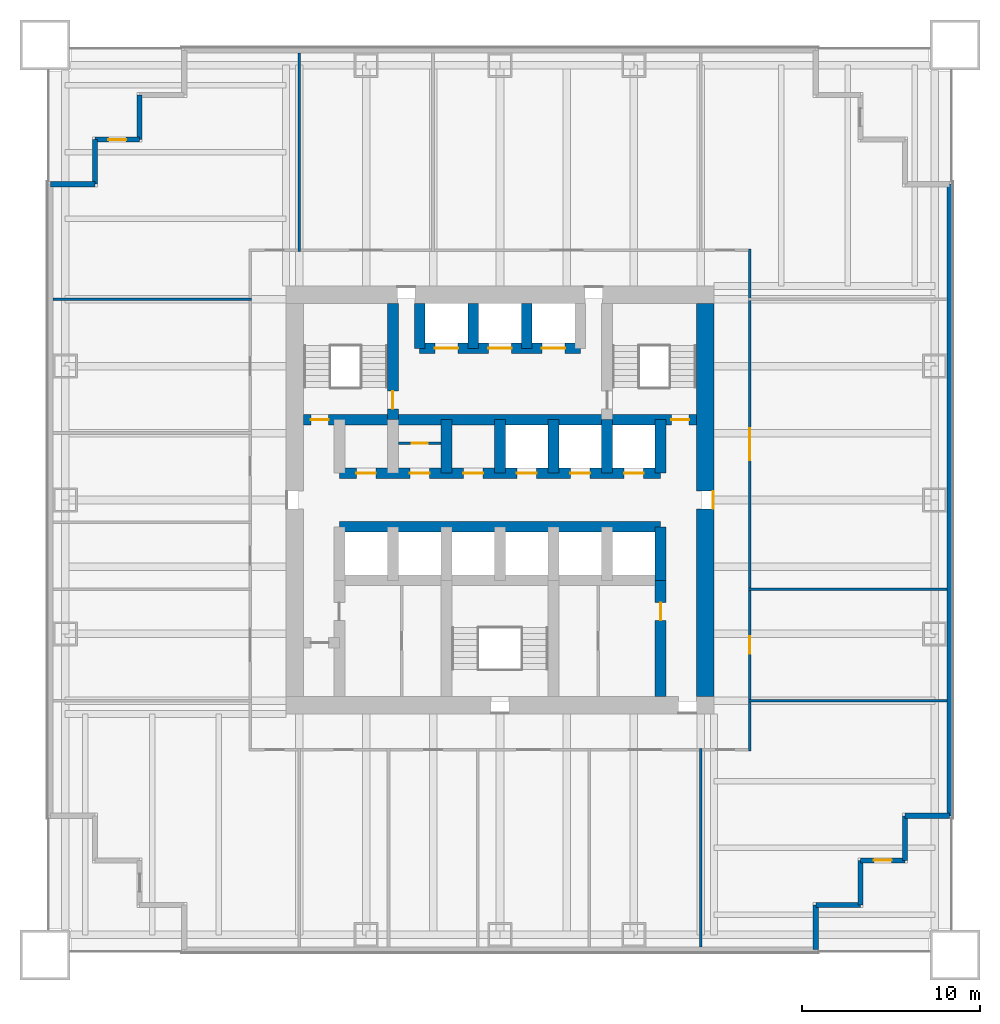
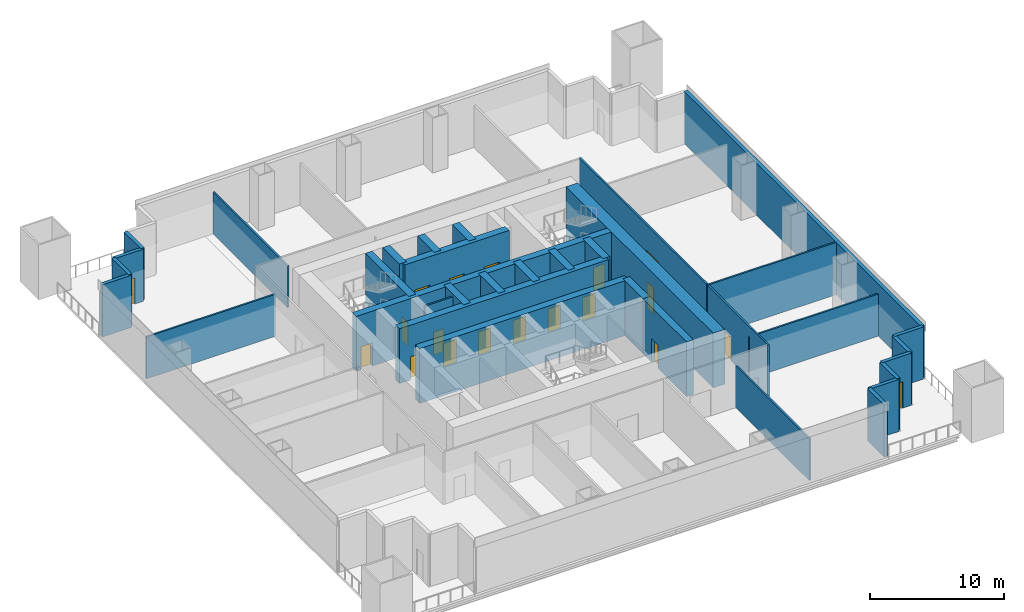
# One storey, part 3 of 6: 34 walls, 19 doors, 19 openings.
"""IFC4 building model written with IfcOpenShell, lengths in metres."""

from ifc_helpers import new_model, si_unit, direction, frame, frame_2d, origin, place, context, subcontext, project, spatial, rectangle, extrude, material, layer, layer_set, type_object, element, fill, save


model = new_model("IFC4")

# Units and contexts
model_context = context("Model", 3, precision=1e-05, world=origin(), true_north=direction((0.0, 1.0)))
body_context = subcontext(model_context, "Body", "Model", "MODEL_VIEW")
ifc_project = project(units=[si_unit("LENGTHUNIT", "METRE"), si_unit("AREAUNIT", "SQUARE_METRE"), si_unit("VOLUMEUNIT", "CUBIC_METRE"), si_unit("PLANEANGLEUNIT", "RADIAN"), si_unit("MASSUNIT", "GRAM", prefix="KILO")], contexts=[model_context])

# Site, building, storey
site_placement = place(None, origin())
site = spatial("IfcSite", under=ifc_project, at=site_placement, CompositionType="ELEMENT")
building_placement = place(site_placement, origin())
building = spatial("IfcBuilding", under=site, at=building_placement, Name="Tarangal Relay Tower", CompositionType="ELEMENT")
storey_placement = place(building_placement, frame((0.0, 0.0, 93.39990234375)))
storey = spatial("IfcBuildingStorey", under=building, at=storey_placement, Name="L18", CompositionType="ELEMENT", Elevation=93.39990234375)

# Wall, openings, doors
ifc_material_1 = material(Name="Concrete fc' 60 MPa", Category="concrete")
ifc_layer_1 = layer(ifc_material_1, 0.60009765625)
ifc_layer_set_1 = layer_set([ifc_layer_1], Name="Core inner wall 600")
wall_type_1 = type_object("IfcWallType", Name="Core inner wall 600", PredefinedType="SHEAR", material=ifc_layer_set_1)
wall_1_placement = place(storey_placement, frame((-11.0, 4.5, 0.0), z_axis=(0.0, 0.0, 1.0), x_axis=(1.0, 0.0, 0.0)))
wall_1 = element("IfcWall", 1, at=wall_1_placement, inside=storey, type_object=wall_type_1, Name="Core wall Y45 L18", PredefinedType="SHEAR", context=body_context, shape_type="SweptSolid", body=[
    extrude(rectangle(XDim=22.0, YDim=0.60009765625, at=frame_2d((11.0, 0.0))), origin(), (0.0, 0.0, 1.0), 5.0),
])
opening_1_placement = place(wall_1_placement, frame((0.39990234375, 0.0, 0.0)))
opening_1 = element("IfcOpeningElement", 2, at=opening_1_placement, cuts=wall_1, Name="Opening FD1", PredefinedType="OPENING", context=body_context, shape_type="SweptSolid", body=[
    extrude(rectangle(XDim=1.0, YDim=2.10009765625, at=frame_2d((0.5, 1.050048828125))), frame((0.0, 0.31005859375, 0.0), z_axis=(0.0, -1.0, 0.0), x_axis=(1.0, 0.0, 0.0)), (0.0, 0.0, 1.0), 0.6201171875),
])
opening_2_placement = place(wall_1_placement, frame((20.60009765625, 0.0, 0.0)))
opening_2 = element("IfcOpeningElement", 3, at=opening_2_placement, cuts=wall_1, Name="Opening FD1", PredefinedType="OPENING", context=body_context, shape_type="SweptSolid", body=[
    extrude(rectangle(XDim=1.0, YDim=2.10009765625, at=frame_2d((0.5, 1.050048828125))), frame((0.0, 0.31005859375, 0.0), z_axis=(0.0, -1.0, 0.0), x_axis=(1.0, 0.0, 0.0)), (0.0, 0.0, 1.0), 0.6201171875),
])
ifc_material_2 = material(Name="Steel door with hardwood frame", Category="steel")
door_type_1 = type_object("IfcDoorType", Name="Fire door 1000 x 2100", OperationType="SINGLE_SWING_LEFT", PredefinedType="DOOR", material=ifc_material_2)
door_1_placement = place(opening_1_placement, origin())
door_1 = element("IfcDoor", 4, at=door_1_placement, inside=storey, type_object=door_type_1, Name="Stair ST-A door from corridor L18", OperationType="SINGLE_SWING_LEFT", OverallHeight=2.10009765625, OverallWidth=1.0, PredefinedType="DOOR", context=body_context, shape_type="SweptSolid", body=[
    extrude(rectangle(XDim=1.0, YDim=2.10009765625, at=frame_2d((0.5, 1.050048828125))), frame((0.0, 0.02490234375, 0.0), z_axis=(0.0, -1.0, 0.0), x_axis=(1.0, 0.0, 0.0)), (0.0, 0.0, 1.0), 0.050048828125),
])
fill(opening_1, door_1)
door_2_placement = place(opening_2_placement, origin())
door_2 = element("IfcDoor", 5, at=door_2_placement, inside=storey, type_object=door_type_1, Name="Stair ST-B door from corridor L18", OperationType="SINGLE_SWING_LEFT", OverallHeight=2.10009765625, OverallWidth=1.0, PredefinedType="DOOR", context=body_context, shape_type="SweptSolid", body=[
    extrude(rectangle(XDim=1.0, YDim=2.10009765625, at=frame_2d((0.5, 1.050048828125))), frame((0.0, 0.02490234375, 0.0), z_axis=(0.0, -1.0, 0.0), x_axis=(1.0, 0.0, 0.0)), (0.0, 0.0, 1.0), 0.050048828125),
])
fill(opening_2, door_2)

wall_2_placement = place(storey_placement, frame((-9.0, 1.5, 0.0), z_axis=(0.0, 0.0, 1.0), x_axis=(1.0, 0.0, 0.0)))
wall_2 = element("IfcWall", 6, at=wall_2_placement, inside=storey, type_object=wall_type_1, Name="Core wall Y15 L18", PredefinedType="SHEAR", context=body_context, shape_type="SweptSolid", body=[
    extrude(rectangle(XDim=18.0, YDim=0.60009765625, at=frame_2d((9.0, 0.0))), origin(), (0.0, 0.0, 1.0), 5.0),
])
opening_3_placement = place(wall_2_placement, frame((9.949951171875, 0.0, 0.0)))
opening_3 = element("IfcOpeningElement", 7, at=opening_3_placement, cuts=wall_2, Name="Opening LD1", PredefinedType="OPENING", context=body_context, shape_type="SweptSolid", body=[
    extrude(rectangle(XDim=1.10009765625, YDim=2.10009765625, at=frame_2d((0.550048828125, 1.050048828125))), frame((0.0, 0.31005859375, 0.0), z_axis=(0.0, -1.0, 0.0), x_axis=(1.0, 0.0, 0.0)), (0.0, 0.0, 1.0), 0.6201171875),
])
opening_4_placement = place(wall_2_placement, frame((12.949951171875, 0.0, 0.0)))
opening_4 = element("IfcOpeningElement", 8, at=opening_4_placement, cuts=wall_2, Name="Opening LD1", PredefinedType="OPENING", context=body_context, shape_type="SweptSolid", body=[
    extrude(rectangle(XDim=1.10009765625, YDim=2.10009765625, at=frame_2d((0.550048828125, 1.050048828125))), frame((0.0, 0.31005859375, 0.0), z_axis=(0.0, -1.0, 0.0), x_axis=(1.0, 0.0, 0.0)), (0.0, 0.0, 1.0), 0.6201171875),
])
opening_5_placement = place(wall_2_placement, frame((15.949951171875, 0.0, 0.0)))
opening_5 = element("IfcOpeningElement", 9, at=opening_5_placement, cuts=wall_2, Name="Opening LD1", PredefinedType="OPENING", context=body_context, shape_type="SweptSolid", body=[
    extrude(rectangle(XDim=1.10009765625, YDim=2.10009765625, at=frame_2d((0.550048828125, 1.050048828125))), frame((0.0, 0.31005859375, 0.0), z_axis=(0.0, -1.0, 0.0), x_axis=(1.0, 0.0, 0.0)), (0.0, 0.0, 1.0), 0.6201171875),
])
opening_6_placement = place(wall_2_placement, frame((0.949951171875, 0.0, 0.0)))
opening_6 = element("IfcOpeningElement", 10, at=opening_6_placement, cuts=wall_2, Name="Opening D4", PredefinedType="OPENING", context=body_context, shape_type="SweptSolid", body=[
    extrude(rectangle(XDim=1.10009765625, YDim=2.10009765625, at=frame_2d((0.550048828125, 1.050048828125))), frame((0.0, 0.31005859375, 0.0), z_axis=(0.0, -1.0, 0.0), x_axis=(1.0, 0.0, 0.0)), (0.0, 0.0, 1.0), 0.6201171875),
])
opening_7_placement = place(wall_2_placement, frame((3.949951171875, 0.0, 0.0)))
opening_7 = element("IfcOpeningElement", 11, at=opening_7_placement, cuts=wall_2, Name="Opening D4", PredefinedType="OPENING", context=body_context, shape_type="SweptSolid", body=[
    extrude(rectangle(XDim=1.10009765625, YDim=2.10009765625, at=frame_2d((0.550048828125, 1.050048828125))), frame((0.0, 0.31005859375, 0.0), z_axis=(0.0, -1.0, 0.0), x_axis=(1.0, 0.0, 0.0)), (0.0, 0.0, 1.0), 0.6201171875),
])
opening_8_placement = place(wall_2_placement, frame((6.949951171875, 0.0, 0.0)))
opening_8 = element("IfcOpeningElement", 12, at=opening_8_placement, cuts=wall_2, Name="Opening D4", PredefinedType="OPENING", context=body_context, shape_type="SweptSolid", body=[
    extrude(rectangle(XDim=1.10009765625, YDim=2.10009765625, at=frame_2d((0.550048828125, 1.050048828125))), frame((0.0, 0.31005859375, 0.0), z_axis=(0.0, -1.0, 0.0), x_axis=(1.0, 0.0, 0.0)), (0.0, 0.0, 1.0), 0.6201171875),
])
door_type_2 = type_object("IfcDoorType", Name="Core room door 1100 x 2100", OperationType="SINGLE_SWING_RIGHT", PredefinedType="DOOR", material=ifc_material_2)
door_3_placement = place(opening_6_placement, origin())
door_3 = element("IfcDoor", 13, at=door_3_placement, inside=storey, type_object=door_type_2, Name="Door D4 to cleaner's store L18-D1", OperationType="SINGLE_SWING_RIGHT", OverallHeight=2.10009765625, OverallWidth=1.10009765625, PredefinedType="DOOR", context=body_context, shape_type="SweptSolid", body=[
    extrude(rectangle(XDim=1.10009765625, YDim=2.10009765625, at=frame_2d((0.550048828125, 1.050048828125))), frame((0.0, 0.02490234375, 0.0), z_axis=(0.0, -1.0, 0.0), x_axis=(1.0, 0.0, 0.0)), (0.0, 0.0, 1.0), 0.050048828125),
])
fill(opening_6, door_3)
door_4_placement = place(opening_7_placement, origin())
door_4 = element("IfcDoor", 14, at=door_4_placement, inside=storey, type_object=door_type_2, Name="Door D4 to it room L18-D2", OperationType="SINGLE_SWING_RIGHT", OverallHeight=2.10009765625, OverallWidth=1.10009765625, PredefinedType="DOOR", context=body_context, shape_type="SweptSolid", body=[
    extrude(rectangle(XDim=1.10009765625, YDim=2.10009765625, at=frame_2d((0.550048828125, 1.050048828125))), frame((0.0, 0.02490234375, 0.0), z_axis=(0.0, -1.0, 0.0), x_axis=(1.0, 0.0, 0.0)), (0.0, 0.0, 1.0), 0.050048828125),
])
fill(opening_7, door_4)
door_5_placement = place(opening_8_placement, origin())
door_5 = element("IfcDoor", 15, at=door_5_placement, inside=storey, type_object=door_type_2, Name="Door D4 to back-of-house plant room L18-D3", OperationType="SINGLE_SWING_RIGHT", OverallHeight=2.10009765625, OverallWidth=1.10009765625, PredefinedType="DOOR", context=body_context, shape_type="SweptSolid", body=[
    extrude(rectangle(XDim=1.10009765625, YDim=2.10009765625, at=frame_2d((0.550048828125, 1.050048828125))), frame((0.0, 0.02490234375, 0.0), z_axis=(0.0, -1.0, 0.0), x_axis=(1.0, 0.0, 0.0)), (0.0, 0.0, 1.0), 0.050048828125),
])
fill(opening_8, door_5)
door_type_3 = type_object("IfcDoorType", Name="Lift landing door 1100 x 2100", OperationType="SLIDING_TO_LEFT", PredefinedType="DOOR", material=ifc_material_2)
door_6_placement = place(opening_3_placement, origin())
door_6 = element("IfcDoor", 16, at=door_6_placement, inside=storey, type_object=door_type_3, Name="Lift T1 landing door L18", OperationType="SLIDING_TO_LEFT", OverallHeight=2.10009765625, OverallWidth=1.10009765625, PredefinedType="DOOR", context=body_context, shape_type="SweptSolid", body=[
    extrude(rectangle(XDim=1.10009765625, YDim=2.10009765625, at=frame_2d((0.550048828125, 1.050048828125))), frame((0.0, 0.02490234375, 0.0), z_axis=(0.0, -1.0, 0.0), x_axis=(1.0, 0.0, 0.0)), (0.0, 0.0, 1.0), 0.050048828125),
])
fill(opening_3, door_6)
door_7_placement = place(opening_4_placement, origin())
door_7 = element("IfcDoor", 17, at=door_7_placement, inside=storey, type_object=door_type_3, Name="Lift T2 landing door L18", OperationType="SLIDING_TO_LEFT", OverallHeight=2.10009765625, OverallWidth=1.10009765625, PredefinedType="DOOR", context=body_context, shape_type="SweptSolid", body=[
    extrude(rectangle(XDim=1.10009765625, YDim=2.10009765625, at=frame_2d((0.550048828125, 1.050048828125))), frame((0.0, 0.02490234375, 0.0), z_axis=(0.0, -1.0, 0.0), x_axis=(1.0, 0.0, 0.0)), (0.0, 0.0, 1.0), 0.050048828125),
])
fill(opening_4, door_7)
door_8_placement = place(opening_5_placement, origin())
door_8 = element("IfcDoor", 18, at=door_8_placement, inside=storey, type_object=door_type_3, Name="Lift T3 landing door L18", OperationType="SLIDING_TO_LEFT", OverallHeight=2.10009765625, OverallWidth=1.10009765625, PredefinedType="DOOR", context=body_context, shape_type="SweptSolid", body=[
    extrude(rectangle(XDim=1.10009765625, YDim=2.10009765625, at=frame_2d((0.550048828125, 1.050048828125))), frame((0.0, 0.02490234375, 0.0), z_axis=(0.0, -1.0, 0.0), x_axis=(1.0, 0.0, 0.0)), (0.0, 0.0, 1.0), 0.050048828125),
])
fill(opening_5, door_8)

# Wall
wall_3_placement = place(storey_placement, frame((-9.0, -1.5, 0.0), z_axis=(0.0, 0.0, 1.0), x_axis=(1.0, 0.0, 0.0)))
element("IfcWall", 19, at=wall_3_placement, inside=storey, type_object=wall_type_1, Name="Core wall YM15 L18", PredefinedType="SHEAR", context=body_context, shape_type="SweptSolid", body=[
    extrude(rectangle(XDim=18.0, YDim=0.60009765625, at=frame_2d((9.0, 0.0))), origin(), (0.0, 0.0, 1.0), 5.0),
])

# Wall, openings, doors
wall_4_placement = place(storey_placement, frame((-4.5, 8.5, 0.0), z_axis=(0.0, 0.0, 1.0), x_axis=(1.0, 0.0, 0.0)))
wall_4 = element("IfcWall", 20, at=wall_4_placement, inside=storey, type_object=wall_type_1, Name="Core wall Y85 L18", PredefinedType="SHEAR", context=body_context, shape_type="SweptSolid", body=[
    extrude(rectangle(XDim=9.0, YDim=0.60009765625, at=frame_2d((4.5, 0.0))), origin(), (0.0, 0.0, 1.0), 5.0),
])
opening_9_placement = place(wall_4_placement, frame((0.85009765625, 0.0, 0.0)))
opening_9 = element("IfcOpeningElement", 21, at=opening_9_placement, cuts=wall_4, Name="Opening LD2", PredefinedType="OPENING", context=body_context, shape_type="SweptSolid", body=[
    extrude(rectangle(XDim=1.300048828125, YDim=2.39990234375, at=frame_2d((0.64990234375, 1.199951171875))), frame((0.0, 0.31005859375, 0.0), z_axis=(0.0, -1.0, 0.0), x_axis=(1.0, 0.0, 0.0)), (0.0, 0.0, 1.0), 0.6201171875),
])
opening_10_placement = place(wall_4_placement, frame((6.85009765625, 0.0, 0.0)))
opening_10 = element("IfcOpeningElement", 22, at=opening_10_placement, cuts=wall_4, Name="Opening LD2", PredefinedType="OPENING", context=body_context, shape_type="SweptSolid", body=[
    extrude(rectangle(XDim=1.300048828125, YDim=2.39990234375, at=frame_2d((0.64990234375, 1.199951171875))), frame((0.0, 0.31005859375, 0.0), z_axis=(0.0, -1.0, 0.0), x_axis=(1.0, 0.0, 0.0)), (0.0, 0.0, 1.0), 0.6201171875),
])
opening_11_placement = place(wall_4_placement, frame((3.85009765625, 0.0, 0.0)))
opening_11 = element("IfcOpeningElement", 23, at=opening_11_placement, cuts=wall_4, Name="Opening LD2", PredefinedType="OPENING", context=body_context, shape_type="SweptSolid", body=[
    extrude(rectangle(XDim=1.300048828125, YDim=2.39990234375, at=frame_2d((0.64990234375, 1.199951171875))), frame((0.0, 0.31005859375, 0.0), z_axis=(0.0, -1.0, 0.0), x_axis=(1.0, 0.0, 0.0)), (0.0, 0.0, 1.0), 0.6201171875),
])
door_type_4 = type_object("IfcDoorType", Name="Lift landing door 1300 x 2400", OperationType="SLIDING_TO_LEFT", PredefinedType="DOOR", material=ifc_material_2)
door_9_placement = place(opening_9_placement, origin())
door_9 = element("IfcDoor", 24, at=door_9_placement, inside=storey, type_object=door_type_4, Name="Lift FF1 landing door L18", OperationType="SLIDING_TO_LEFT", OverallHeight=2.39990234375, OverallWidth=1.300048828125, PredefinedType="DOOR", context=body_context, shape_type="SweptSolid", body=[
    extrude(rectangle(XDim=1.300048828125, YDim=2.39990234375, at=frame_2d((0.64990234375, 1.199951171875))), frame((0.0, 0.02490234375, 0.0), z_axis=(0.0, -1.0, 0.0), x_axis=(1.0, 0.0, 0.0)), (0.0, 0.0, 1.0), 0.050048828125),
])
fill(opening_9, door_9)
door_10_placement = place(opening_10_placement, origin())
door_10 = element("IfcDoor", 25, at=door_10_placement, inside=storey, type_object=door_type_4, Name="Lift FF2 landing door L18", OperationType="SLIDING_TO_LEFT", OverallHeight=2.39990234375, OverallWidth=1.300048828125, PredefinedType="DOOR", context=body_context, shape_type="SweptSolid", body=[
    extrude(rectangle(XDim=1.300048828125, YDim=2.39990234375, at=frame_2d((0.64990234375, 1.199951171875))), frame((0.0, 0.02490234375, 0.0), z_axis=(0.0, -1.0, 0.0), x_axis=(1.0, 0.0, 0.0)), (0.0, 0.0, 1.0), 0.050048828125),
])
fill(opening_10, door_10)
door_11_placement = place(opening_11_placement, origin())
door_11 = element("IfcDoor", 26, at=door_11_placement, inside=storey, type_object=door_type_4, Name="Lift SV1 landing door L18", OperationType="SLIDING_TO_LEFT", OverallHeight=2.39990234375, OverallWidth=1.300048828125, PredefinedType="DOOR", context=body_context, shape_type="SweptSolid", body=[
    extrude(rectangle(XDim=1.300048828125, YDim=2.39990234375, at=frame_2d((0.64990234375, 1.199951171875))), frame((0.0, 0.02490234375, 0.0), z_axis=(0.0, -1.0, 0.0), x_axis=(1.0, 0.0, 0.0)), (0.0, 0.0, 1.0), 0.050048828125),
])
fill(opening_11, door_11)

# Walls
for number, where, z_axis, x_axis, name in (
    (27, (9.0, 1.5, 0.0), (0.0, 0.0, 1.0), (0.0, 1.0, 0.0), "Core wall X9N L18"),
    (28, (9.0, -4.5, 0.0), (0.0, 0.0, 1.0), (0.0, 1.0, 0.0), "Core wall X9S L18"),
    (29, (-3.0, 1.5, 0.0), (0.0, 0.0, 1.0), (0.0, 1.0, 0.0), "Core wall XM3N L18"),
    (30, (0.0, 1.5, 0.0), (0.0, 0.0, 1.0), (0.0, 1.0, 0.0), "Core wall X0N L18"),
    (31, (3.0, 1.5, 0.0), (0.0, 0.0, 1.0), (0.0, 1.0, 0.0), "Core wall X3N L18"),
    (32, (6.0, 1.5, 0.0), (0.0, 0.0, 1.0), (0.0, 1.0, 0.0), "Core wall X6N L18"),
):
    element("IfcWall", number, at=place(storey_placement, frame(where, z_axis=z_axis, x_axis=x_axis)), inside=storey, type_object=wall_type_1, Name=name, PredefinedType="SHEAR", context=body_context, shape_type="SweptSolid", body=[
        extrude(rectangle(XDim=3.0, YDim=0.60009765625, at=frame_2d((1.5, 0.0))), origin(), (0.0, 0.0, 1.0), 5.0),
    ])

# Wall, opening, door
wall_5_placement = place(storey_placement, frame((-6.0, 4.5, 0.0), z_axis=(0.0, 0.0, 1.0), x_axis=(0.0, 1.0, 0.0)))
wall_5 = element("IfcWall", 33, at=wall_5_placement, inside=storey, type_object=wall_type_1, Name="Core wall XM6 L18", PredefinedType="SHEAR", context=body_context, shape_type="SweptSolid", body=[
    extrude(rectangle(XDim=6.5, YDim=0.60009765625, at=frame_2d((3.25, 0.0))), origin(), (0.0, 0.0, 1.0), 5.0),
])
opening_12_placement = place(wall_5_placement, frame((0.60009765625, 0.0, 0.0)))
opening_12 = element("IfcOpeningElement", 34, at=opening_12_placement, cuts=wall_5, Name="Opening FD1", PredefinedType="OPENING", context=body_context, shape_type="SweptSolid", body=[
    extrude(rectangle(XDim=1.0, YDim=2.10009765625, at=frame_2d((0.5, 1.050048828125))), frame((0.0, 0.31005859375, 0.0), z_axis=(0.0, -1.0, 0.0), x_axis=(1.0, 0.0, 0.0)), (0.0, 0.0, 1.0), 0.6201171875),
])
door_12_placement = place(opening_12_placement, origin())
door_12 = element("IfcDoor", 35, at=door_12_placement, inside=storey, type_object=door_type_1, Name="Stair ST-A door from fire-fighting lobby L18", OperationType="SINGLE_SWING_LEFT", OverallHeight=2.10009765625, OverallWidth=1.0, PredefinedType="DOOR", context=body_context, shape_type="SweptSolid", body=[
    extrude(rectangle(XDim=1.0, YDim=2.10009765625, at=frame_2d((0.5, 1.050048828125))), frame((0.0, 0.02490234375, 0.0), z_axis=(0.0, -1.0, 0.0), x_axis=(1.0, 0.0, 0.0)), (0.0, 0.0, 1.0), 0.050048828125),
])
fill(opening_12, door_12)

# Walls
for number, where, z_axis, x_axis, name in (
    (36, (-4.5, 8.5, 0.0), (0.0, 0.0, 1.0), (0.0, 1.0, 0.0), "Core wall XM45 L18"),
    (37, (-1.5, 8.5, 0.0), (0.0, 0.0, 1.0), (0.0, 1.0, 0.0), "Core wall XM15 L18"),
    (38, (1.5, 8.5, 0.0), (0.0, 0.0, 1.0), (0.0, 1.0, 0.0), "Core wall X15 L18"),
):
    element("IfcWall", number, at=place(storey_placement, frame(where, z_axis=z_axis, x_axis=x_axis)), inside=storey, type_object=wall_type_1, Name=name, PredefinedType="SHEAR", context=body_context, shape_type="SweptSolid", body=[
        extrude(rectangle(XDim=2.5, YDim=0.60009765625, at=frame_2d((1.25, 0.0))), origin(), (0.0, 0.0, 1.0), 5.0),
    ])

# Wall, opening, door
wall_6_placement = place(storey_placement, frame((9.0, -11.0, 0.0), z_axis=(0.0, 0.0, 1.0), x_axis=(0.0, 1.0, 0.0)))
wall_6 = element("IfcWall", 39, at=wall_6_placement, inside=storey, type_object=wall_type_1, Name="Core wall X9W L18", PredefinedType="SHEAR", context=body_context, shape_type="SweptSolid", body=[
    extrude(rectangle(XDim=6.5, YDim=0.60009765625, at=frame_2d((3.25, 0.0))), origin(), (0.0, 0.0, 1.0), 5.0),
])
opening_13_placement = place(wall_6_placement, frame((4.25, 0.0, 0.0)))
opening_13 = element("IfcOpeningElement", 40, at=opening_13_placement, cuts=wall_6, Name="Opening D1", PredefinedType="OPENING", context=body_context, shape_type="SweptSolid", body=[
    extrude(rectangle(XDim=1.0, YDim=2.10009765625, at=frame_2d((0.5, 1.050048828125))), frame((0.0, 0.31005859375, 0.0), z_axis=(0.0, -1.0, 0.0), x_axis=(1.0, 0.0, 0.0)), (0.0, 0.0, 1.0), 0.6201171875),
])
ifc_material_3 = material(Name="Hardwood door", Category="wood")
door_type_5 = type_object("IfcDoorType", Name="WC door 1000 x 2100", OperationType="SINGLE_SWING_LEFT", PredefinedType="DOOR", material=ifc_material_3)
door_13_placement = place(opening_13_placement, origin())
door_13 = element("IfcDoor", 41, at=door_13_placement, inside=storey, type_object=door_type_5, Name="Female WC door L18", OperationType="SINGLE_SWING_LEFT", OverallHeight=2.10009765625, OverallWidth=1.0, PredefinedType="DOOR", context=body_context, shape_type="SweptSolid", body=[
    extrude(rectangle(XDim=1.0, YDim=2.10009765625, at=frame_2d((0.5, 1.050048828125))), frame((0.0, 0.02490234375, 0.0), z_axis=(0.0, -1.0, 0.0), x_axis=(1.0, 0.0, 0.0)), (0.0, 0.0, 1.0), 0.050048828125),
])
fill(opening_13, door_13)

ifc_layer_2 = layer(ifc_material_1, 1.0)
ifc_layer_set_2 = layer_set([ifc_layer_2], Name="Core wall 1000")
wall_type_2 = type_object("IfcWallType", Name="Core wall 1000", PredefinedType="SHEAR", material=ifc_layer_set_2)
wall_7_placement = place(storey_placement, frame((11.5, 11.0, 0.0), z_axis=(0.0, 0.0, 1.0), x_axis=(0.0, -1.0, 0.0)))
wall_7 = element("IfcWall", 42, at=wall_7_placement, inside=storey, type_object=wall_type_2, Name="Core wall E L18", PredefinedType="SHEAR", context=body_context, shape_type="SweptSolid", body=[
    extrude(rectangle(XDim=22.0, YDim=1.0, at=frame_2d((11.0, 0.0))), origin(), (0.0, 0.0, 1.0), 5.0),
])
opening_14_placement = place(wall_7_placement, frame((10.5, 0.0, 0.0)))
opening_14 = element("IfcOpeningElement", 43, at=opening_14_placement, cuts=wall_7, Name="Opening FD3", PredefinedType="OPENING", context=body_context, shape_type="SweptSolid", body=[
    extrude(rectangle(XDim=1.0, YDim=2.39990234375, at=frame_2d((0.5, 1.199951171875))), frame((0.0, 0.510009765625, 0.0), z_axis=(0.0, -1.0, 0.0), x_axis=(1.0, 0.0, 0.0)), (0.0, 0.0, 1.0), 1.02001953125),
])
door_type_6 = type_object("IfcDoorType", Name="Fire door 1000 x 2400 core entry", OperationType="SINGLE_SWING_RIGHT", PredefinedType="DOOR", material=ifc_material_2)
door_14_placement = place(opening_14_placement, origin())
door_14 = element("IfcDoor", 44, at=door_14_placement, inside=storey, type_object=door_type_6, Name="Core entry door east L18", OperationType="SINGLE_SWING_RIGHT", OverallHeight=2.39990234375, OverallWidth=1.0, PredefinedType="DOOR", context=body_context, shape_type="SweptSolid", body=[
    extrude(rectangle(XDim=1.0, YDim=2.39990234375, at=frame_2d((0.5, 1.199951171875))), frame((0.0, 0.48486328125, 0.0), z_axis=(0.0, -1.0, 0.0), x_axis=(1.0, 0.0, 0.0)), (0.0, 0.0, 1.0), 0.050048828125),
])
fill(opening_14, door_14)

# Walls
ifc_material_4 = material(Name="Insulated precast concrete fc' 40 MPa", Category="concrete")
ifc_layer_3 = layer(ifc_material_4, 0.300048828125)
ifc_layer_set_3 = layer_set([ifc_layer_3], Name="Insulated precast concrete fc' 40 MPa")
wall_type_3 = type_object("IfcWallType", Name="Facade wall precast 300", PredefinedType="SOLIDWALL", material=ifc_layer_set_3)
wall_8_placement = place(storey_placement, frame((25.199951171875, 17.699951171875, 0.0), z_axis=(0.0, 0.0, 1.0), x_axis=(0.0, -1.0, 0.0)))
element("IfcWall", 45, at=wall_8_placement, inside=storey, type_object=wall_type_3, Name="Facade wall E facade L18", PredefinedType="SOLIDWALL", context=body_context, shape_type="SweptSolid", body=[
    extrude(rectangle(XDim=35.39990234375, YDim=0.300048828125, at=frame_2d((17.699951171875, 0.0))), origin(), (0.0, 0.0, 1.0), 4.75),
])
for number, where, z_axis, x_axis, name in (
    (46, (25.199951171875, -17.699951171875, 0.0), (0.0, 0.0, 1.0), (-1.0, 0.0, 0.0), "Facade wall E facade L18"),
    (47, (22.699951171875, -17.699951171875, 0.0), (0.0, 0.0, 1.0), (0.0, -1.0, 0.0), "Facade wall E facade L18"),
):
    element("IfcWall", number, at=place(storey_placement, frame(where, z_axis=z_axis, x_axis=x_axis)), inside=storey, type_object=wall_type_3, Name=name, PredefinedType="SOLIDWALL", context=body_context, shape_type="SweptSolid", body=[
        extrude(rectangle(XDim=2.5, YDim=0.300048828125, at=frame_2d((1.25, 0.0))), origin(), (0.0, 0.0, 1.0), 4.75),
    ])

# Wall, opening, door
wall_9_placement = place(storey_placement, frame((22.699951171875, -20.199951171875, 0.0), z_axis=(0.0, 0.0, 1.0), x_axis=(-1.0, 0.0, 0.0)))
wall_9 = element("IfcWall", 48, at=wall_9_placement, inside=storey, type_object=wall_type_3, Name="Facade wall E facade L18", PredefinedType="SOLIDWALL", context=body_context, shape_type="SweptSolid", body=[
    extrude(rectangle(XDim=2.5, YDim=0.300048828125, at=frame_2d((1.25, 0.0))), origin(), (0.0, 0.0, 1.0), 4.75),
])
opening_15_placement = place(wall_9_placement, frame((0.75, 0.0, 0.0)))
opening_15 = element("IfcOpeningElement", 49, at=opening_15_placement, cuts=wall_9, Name="Opening TD1", PredefinedType="OPENING", context=body_context, shape_type="SweptSolid", body=[
    extrude(rectangle(XDim=1.0, YDim=2.39990234375, at=frame_2d((0.5, 1.199951171875))), frame((0.0, 0.159912109375, 0.0), z_axis=(0.0, -1.0, 0.0), x_axis=(1.0, 0.0, 0.0)), (0.0, 0.0, 1.0), 0.320068359375),
])
ifc_material_5 = material(Name="Aluminium glazed door", Category="aluminium")
door_type_7 = type_object("IfcDoorType", Name="Terrace door 1000 x 2400", OperationType="SINGLE_SWING_RIGHT", PredefinedType="DOOR", material=ifc_material_5)
door_15_placement = place(opening_15_placement, origin())
door_15 = element("IfcDoor", 50, at=door_15_placement, inside=storey, type_object=door_type_7, Name="Terrace door TD1 SE L18", OperationType="SINGLE_SWING_RIGHT", OverallHeight=2.39990234375, OverallWidth=1.0, PredefinedType="DOOR", context=body_context, shape_type="SweptSolid", body=[
    extrude(rectangle(XDim=1.0, YDim=2.39990234375, at=frame_2d((0.5, 1.199951171875))), frame((0.0, 0.02490234375, 0.0), z_axis=(0.0, -1.0, 0.0), x_axis=(1.0, 0.0, 0.0)), (0.0, 0.0, 1.0), 0.050048828125),
])
fill(opening_15, door_15)

# Walls
for number, where, z_axis, x_axis, name in (
    (51, (20.199951171875, -20.199951171875, 0.0), (0.0, 0.0, 1.0), (0.0, -1.0, 0.0), "Facade wall E facade L18"),
    (52, (20.199951171875, -22.699951171875, 0.0), (0.0, 0.0, 1.0), (-1.0, 0.0, 0.0), "Facade wall E facade L18"),
    (53, (17.699951171875, -22.699951171875, 0.0), (0.0, 0.0, 1.0), (0.0, -1.0, 0.0), "Facade wall E facade L18"),
    (54, (-25.199951171875, 17.699951171875, 0.0), (0.0, 0.0, 1.0), (1.0, 0.0, 0.0), "Facade wall W facade L18"),
    (55, (-22.699951171875, 17.699951171875, 0.0), (0.0, 0.0, 1.0), (0.0, 1.0, 0.0), "Facade wall W facade L18"),
):
    element("IfcWall", number, at=place(storey_placement, frame(where, z_axis=z_axis, x_axis=x_axis)), inside=storey, type_object=wall_type_3, Name=name, PredefinedType="SOLIDWALL", context=body_context, shape_type="SweptSolid", body=[
        extrude(rectangle(XDim=2.5, YDim=0.300048828125, at=frame_2d((1.25, 0.0))), origin(), (0.0, 0.0, 1.0), 4.75),
    ])

# Wall, opening, door
wall_10_placement = place(storey_placement, frame((-22.699951171875, 20.199951171875, 0.0), z_axis=(0.0, 0.0, 1.0), x_axis=(1.0, 0.0, 0.0)))
wall_10 = element("IfcWall", 56, at=wall_10_placement, inside=storey, type_object=wall_type_3, Name="Facade wall W facade L18", PredefinedType="SOLIDWALL", context=body_context, shape_type="SweptSolid", body=[
    extrude(rectangle(XDim=2.5, YDim=0.300048828125, at=frame_2d((1.25, 0.0))), origin(), (0.0, 0.0, 1.0), 4.75),
])
opening_16_placement = place(wall_10_placement, frame((0.75, 0.0, 0.0)))
opening_16 = element("IfcOpeningElement", 57, at=opening_16_placement, cuts=wall_10, Name="Opening TD1", PredefinedType="OPENING", context=body_context, shape_type="SweptSolid", body=[
    extrude(rectangle(XDim=1.0, YDim=2.39990234375, at=frame_2d((0.5, 1.199951171875))), frame((0.0, 0.159912109375, 0.0), z_axis=(0.0, -1.0, 0.0), x_axis=(1.0, 0.0, 0.0)), (0.0, 0.0, 1.0), 0.320068359375),
])
door_16_placement = place(opening_16_placement, origin())
door_16 = element("IfcDoor", 58, at=door_16_placement, inside=storey, type_object=door_type_7, Name="Terrace door TD1 NW L18", OperationType="SINGLE_SWING_RIGHT", OverallHeight=2.39990234375, OverallWidth=1.0, PredefinedType="DOOR", context=body_context, shape_type="SweptSolid", body=[
    extrude(rectangle(XDim=1.0, YDim=2.39990234375, at=frame_2d((0.5, 1.199951171875))), frame((0.0, 0.02490234375, 0.0), z_axis=(0.0, -1.0, 0.0), x_axis=(1.0, 0.0, 0.0)), (0.0, 0.0, 1.0), 0.050048828125),
])
fill(opening_16, door_16)

# Walls
wall_11_placement = place(storey_placement, frame((-20.199951171875, 20.199951171875, 0.0), z_axis=(0.0, 0.0, 1.0), x_axis=(0.0, 1.0, 0.0)))
element("IfcWall", 59, at=wall_11_placement, inside=storey, type_object=wall_type_3, Name="Facade wall W facade L18", PredefinedType="SOLIDWALL", context=body_context, shape_type="SweptSolid", body=[
    extrude(rectangle(XDim=2.5, YDim=0.300048828125, at=frame_2d((1.25, 0.0))), origin(), (0.0, 0.0, 1.0), 4.75),
])
ifc_material_6 = material(Name="Gypsum board on steel studs", Category="steel")
ifc_layer_4 = layer(ifc_material_6, 0.14990234375)
ifc_layer_set_4 = layer_set([ifc_layer_4], Name="Partition 150")
wall_type_4 = type_object("IfcWallType", Name="Partition 150", PredefinedType="PARTITIONING", material=ifc_layer_set_4)
wall_12_placement = place(storey_placement, frame((13.925048828125, -11.25, 0.0), z_axis=(0.0, 0.0, 1.0), x_axis=(1.0, 0.0, 0.0)))
element("IfcWall", 60, at=wall_12_placement, inside=storey, type_object=wall_type_4, Name="Partition PT1 L18", PredefinedType="PARTITIONING", context=body_context, shape_type="SweptSolid", body=[
    extrude(rectangle(XDim=11.125, YDim=0.14990234375, at=frame_2d((5.5625, 0.0))), origin(), (0.0, 0.0, 1.0), 3.822998046875),
])
wall_13_placement = place(storey_placement, frame((13.925048828125, -5.0, 0.0), z_axis=(0.0, 0.0, 1.0), x_axis=(1.0, 0.0, 0.0)))
element("IfcWall", 61, at=wall_13_placement, inside=storey, type_object=wall_type_4, Name="Partition PT1 L18", PredefinedType="PARTITIONING", context=body_context, shape_type="SweptSolid", body=[
    extrude(rectangle(XDim=11.125, YDim=0.14990234375, at=frame_2d((5.5625, 0.0))), origin(), (0.0, 0.0, 1.0), 4.75),
])
for number, where, z_axis, x_axis, name in (
    (62, (-25.050048828125, 11.25, 0.0), (0.0, 0.0, 1.0), (1.0, 0.0, 0.0), "Partition PT1 L18"),
    (63, (-11.25, 13.925048828125, 0.0), (0.0, 0.0, 1.0), (0.0, 1.0, 0.0), "Partition PT1 L18"),
    (64, (11.25, -25.050048828125, 0.0), (0.0, 0.0, 1.0), (0.0, 1.0, 0.0), "Partition PT1 L18"),
):
    element("IfcWall", number, at=place(storey_placement, frame(where, z_axis=z_axis, x_axis=x_axis)), inside=storey, type_object=wall_type_4, Name=name, PredefinedType="PARTITIONING", context=body_context, shape_type="SweptSolid", body=[
        extrude(rectangle(XDim=11.125, YDim=0.14990234375, at=frame_2d((5.5625, 0.0))), origin(), (0.0, 0.0, 1.0), 3.822998046875),
    ])

# Wall, openings, doors
wall_14_placement = place(storey_placement, frame((14.0, -14.074951171875, 0.0), z_axis=(0.0, 0.0, 1.0), x_axis=(0.0, 1.0, 0.0)))
wall_14 = element("IfcWall", 65, at=wall_14_placement, inside=storey, type_object=wall_type_4, Name="Partition PT1 L18", PredefinedType="PARTITIONING", context=body_context, shape_type="SweptSolid", body=[
    extrude(rectangle(XDim=28.14990234375, YDim=0.14990234375, at=frame_2d((14.074951171875, 0.0))), origin(), (0.0, 0.0, 1.0), 4.75),
])
opening_17_placement = place(wall_14_placement, frame((16.300048828125, 0.0, 0.0)))
opening_17 = element("IfcOpeningElement", 66, at=opening_17_placement, cuts=wall_14, Name="Opening DD1", PredefinedType="OPENING", context=body_context, shape_type="SweptSolid", body=[
    extrude(rectangle(XDim=1.800048828125, YDim=2.39990234375, at=frame_2d((0.89990234375, 1.199951171875))), frame((0.0, 0.0849609375, 0.0), z_axis=(0.0, -1.0, 0.0), x_axis=(1.0, 0.0, 0.0)), (0.0, 0.0, 1.0), 0.169921875),
])
opening_18_placement = place(wall_14_placement, frame((5.449951171875, 0.0, 0.0)))
opening_18 = element("IfcOpeningElement", 67, at=opening_18_placement, cuts=wall_14, Name="Opening D2", PredefinedType="OPENING", context=body_context, shape_type="SweptSolid", body=[
    extrude(rectangle(XDim=1.0, YDim=2.10009765625, at=frame_2d((0.5, 1.050048828125))), frame((0.0, 0.0849609375, 0.0), z_axis=(0.0, -1.0, 0.0), x_axis=(1.0, 0.0, 0.0)), (0.0, 0.0, 1.0), 0.169921875),
])
door_type_8 = type_object("IfcDoorType", Name="Door 1000 x 2100", OperationType="SINGLE_SWING_LEFT", PredefinedType="DOOR", material=ifc_material_3)
door_17_placement = place(opening_18_placement, origin())
door_17 = element("IfcDoor", 68, at=door_17_placement, inside=storey, type_object=door_type_8, Name="Door D2 to tape library room L18-05", OperationType="SINGLE_SWING_LEFT", OverallHeight=2.10009765625, OverallWidth=1.0, PredefinedType="DOOR", context=body_context, shape_type="SweptSolid", body=[
    extrude(rectangle(XDim=1.0, YDim=2.10009765625, at=frame_2d((0.5, 1.050048828125))), frame((0.0, 0.02490234375, 0.0), z_axis=(0.0, -1.0, 0.0), x_axis=(1.0, 0.0, 0.0)), (0.0, 0.0, 1.0), 0.050048828125),
])
fill(opening_18, door_17)
door_type_9 = type_object("IfcDoorType", Name="Equipment double door 1800 x 2400", OperationType="DOUBLE_DOOR_SINGLE_SWING", PredefinedType="DOOR", material=ifc_material_2)
door_18_placement = place(opening_17_placement, origin())
door_18 = element("IfcDoor", 69, at=door_18_placement, inside=storey, type_object=door_type_9, Name="Door DD1 to data hall L18-04", OperationType="DOUBLE_DOOR_SINGLE_SWING", OverallHeight=2.39990234375, OverallWidth=1.800048828125, PredefinedType="DOOR", context=body_context, shape_type="SweptSolid", body=[
    extrude(rectangle(XDim=1.800048828125, YDim=2.39990234375, at=frame_2d((0.89990234375, 1.199951171875))), frame((0.0, 0.02490234375, 0.0), z_axis=(0.0, -1.0, 0.0), x_axis=(1.0, 0.0, 0.0)), (0.0, 0.0, 1.0), 0.050048828125),
])
fill(opening_17, door_18)

# Wall, opening, door
wall_15_placement = place(storey_placement, frame((-5.699951171875, 3.175048828125, 0.0), z_axis=(0.0, 0.0, 1.0), x_axis=(1.0, 0.0, 0.0)))
wall_15 = element("IfcWall", 70, at=wall_15_placement, inside=storey, type_object=wall_type_4, Name="Partition PT1 L18", PredefinedType="PARTITIONING", context=body_context, shape_type="SweptSolid", body=[
    extrude(rectangle(XDim=2.39990234375, YDim=0.14990234375, at=frame_2d((1.199951171875, 0.0))), origin(), (0.0, 0.0, 1.0), 4.75),
])
opening_19_placement = place(wall_15_placement, frame((0.75, 0.0, 0.0)))
opening_19 = element("IfcOpeningElement", 71, at=opening_19_placement, cuts=wall_15, Name="Opening D5", PredefinedType="OPENING", context=body_context, shape_type="SweptSolid", body=[
    extrude(rectangle(XDim=0.89990234375, YDim=2.10009765625, at=frame_2d((0.449951171875, 1.050048828125))), frame((0.0, 0.0849609375, 0.0), z_axis=(0.0, -1.0, 0.0), x_axis=(1.0, 0.0, 0.0)), (0.0, 0.0, 1.0), 0.169921875),
])
door_type_10 = type_object("IfcDoorType", Name="Cupboard door 900 x 2100", OperationType="SINGLE_SWING_LEFT", PredefinedType="DOOR", material=ifc_material_3)
door_19_placement = place(opening_19_placement, origin())
door_19 = element("IfcDoor", 72, at=door_19_placement, inside=storey, type_object=door_type_10, Name="Door D5 to it patch cupboard L18-D2B", OperationType="SINGLE_SWING_LEFT", OverallHeight=2.10009765625, OverallWidth=0.89990234375, PredefinedType="DOOR", context=body_context, shape_type="SweptSolid", body=[
    extrude(rectangle(XDim=0.89990234375, YDim=2.10009765625, at=frame_2d((0.449951171875, 1.050048828125))), frame((0.0, 0.02490234375, 0.0), z_axis=(0.0, -1.0, 0.0), x_axis=(1.0, 0.0, 0.0)), (0.0, 0.0, 1.0), 0.050048828125),
])
fill(opening_19, door_19)

save(model, "model.ifc")
